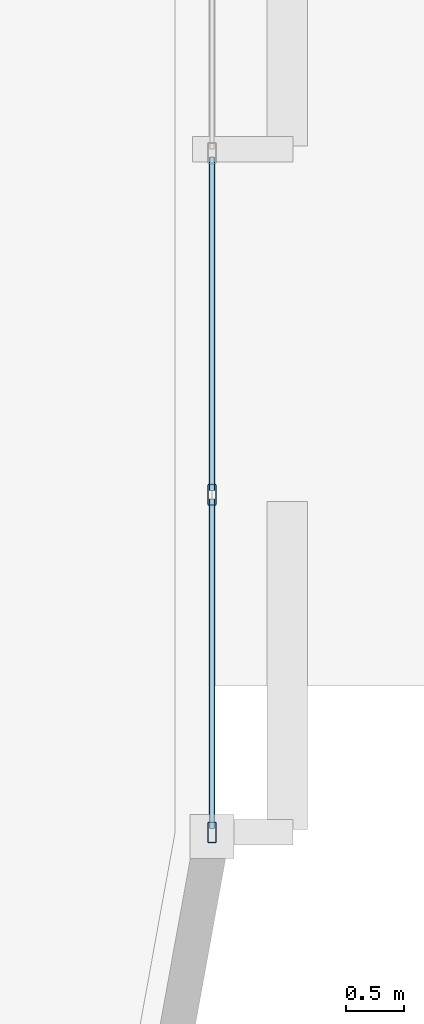
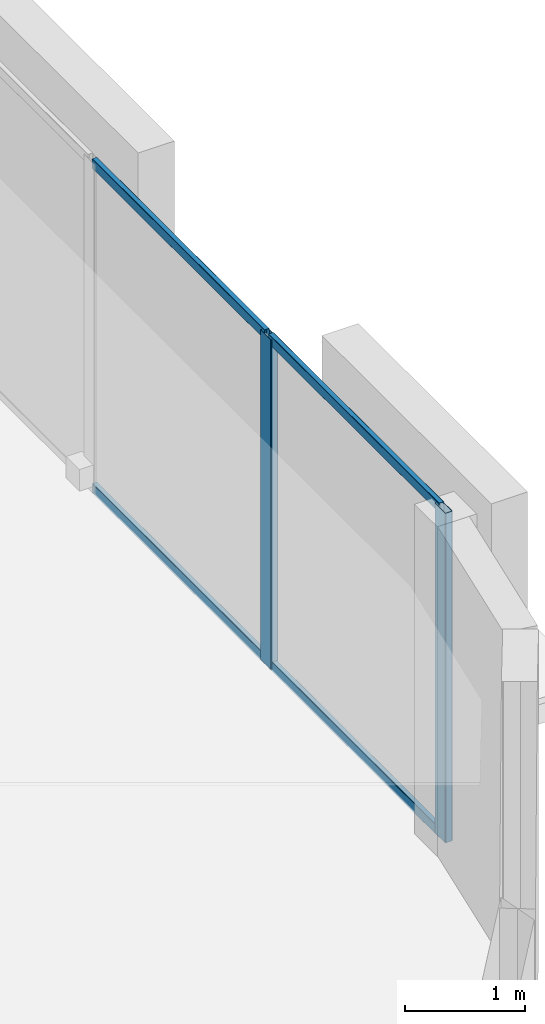
# One storey, part 4 of 13: 6 members, 1 element without a shape of its own.
"""IFC4 building model written with IfcOpenShell, lengths in metres."""

from ifc_helpers import new_model, si_unit, direction, frame, origin, origin_2d, place, context, subcontext, project, spatial, hollow_rectangle, extrude, material, layer, layer_set, material_profile, profile_set, type_object, element, aggregate, save


model = new_model("IFC4")

# Units and contexts
model_context = context("Model", 3, precision=1e-05, world=origin(), true_north=direction((0.0, 1.0)))
body_context = subcontext(model_context, "Body", "Model", "MODEL_VIEW")
ifc_project = project(units=[si_unit("LENGTHUNIT", "METRE"), si_unit("AREAUNIT", "SQUARE_METRE"), si_unit("VOLUMEUNIT", "CUBIC_METRE"), si_unit("PLANEANGLEUNIT", "RADIAN"), si_unit("MASSUNIT", "GRAM", prefix="KILO")], contexts=[model_context])

# Site, building, storey
site_placement = place(None, origin())
site = spatial("IfcSite", under=ifc_project, at=site_placement, CompositionType="ELEMENT")
building_placement = place(site_placement, origin())
building = spatial("IfcBuilding", under=site, at=building_placement, Name="An Khanh Terracotta Commons", CompositionType="ELEMENT")
storey_placement = place(building_placement, frame((0.0, 0.0, 244.5)))
storey = spatial("IfcBuildingStorey", under=building, at=storey_placement, Name="L64", CompositionType="ELEMENT", Elevation=244.5)

# Curtain wall, members
ifc_material = material(Name="Anodised Aluminium 6063-T6", Category="aluminium")
ifc_layer = layer(ifc_material, 0.2099609375, Name="Anodised Aluminium 6063-T6")
ifc_layer_set = layer_set([ifc_layer], Name="Anodised Aluminium 6063-T6")
curtain_wall_type = type_object("IfcCurtainWallType", Name="CW-SYS-03", PredefinedType="USERDEFINED", material=ifc_layer_set)
curtain_wall_placement = place(storey_placement, origin())
curtain_wall = element("IfcCurtainWall", 1, at=curtain_wall_placement, inside=storey, type_object=curtain_wall_type, Name="L64 CW-03 Unitised Curtain Wall CW-L64-12", ObjectType="UNITISED CURTAIN WALL", PredefinedType="USERDEFINED")
ifc_material_profile_1 = material_profile(ifc_material, hollow_rectangle(XDim=0.070068359375, YDim=0.179931640625, WallThickness=0.00390625, InnerFilletRadius=0.00390625, OuterFilletRadius=0.008056640625, at=origin_2d()), Name="RHS180x70x4")
ifc_profile_set_1 = profile_set([ifc_material_profile_1], Name="Anodised Aluminium 6063-T6")
member_type_1 = type_object("IfcMemberType", Name="CWM-RHS180x70x4", PredefinedType="MULLION", material=ifc_profile_set_1)
member_1_placement = place(storey_placement, frame((68.60009765625, 18.135986328125, 0.0), z_axis=(0.0, 0.0, 1.0), x_axis=(-1.0, 0.0, 0.0)))
member_1 = element("IfcMember", 2, at=member_1_placement, type_object=member_type_1, Name="CW-03 mullion 1", PredefinedType="MULLION", context=body_context, shape_type="SweptSolid", body=[
    extrude(hollow_rectangle(XDim=0.070068359375, YDim=0.179931640625, WallThickness=0.00390625, InnerFilletRadius=0.00390625, OuterFilletRadius=0.008056640625, at=origin_2d()), origin(), (0.0, 0.0, 1.0), 3.360107421875),
])
member_2_placement = place(storey_placement, frame((68.60009765625, 21.050537109375, 0.0), z_axis=(0.0, 0.0, 1.0), x_axis=(-1.0, 0.0, 0.0)))
member_2 = element("IfcMember", 3, at=member_2_placement, type_object=member_type_1, Name="CW-03 mullion 2", PredefinedType="MULLION", context=body_context, shape_type="SweptSolid", body=[
    extrude(hollow_rectangle(XDim=0.070068359375, YDim=0.179931640625, WallThickness=0.00390625, InnerFilletRadius=0.00390625, OuterFilletRadius=0.008056640625, at=origin_2d()), origin(), (0.0, 0.0, 1.0), 3.360107421875),
])
ifc_material_profile_2 = material_profile(ifc_material, hollow_rectangle(XDim=0.050048828125, YDim=0.10009765625, WallThickness=0.003173828125, InnerFilletRadius=0.003173828125, OuterFilletRadius=0.00634765625, at=origin_2d()), Name="RHS100x50x3.2")
ifc_profile_set_2 = profile_set([ifc_material_profile_2], Name="Anodised Aluminium 6063-T6")
member_type_2 = type_object("IfcMemberType", Name="CWT-RHS100x50x3.2", PredefinedType="USERDEFINED", material=ifc_profile_set_2)
member_3_placement = place(storey_placement, frame((68.60009765625, 18.1708984375, 0.02490234375), z_axis=(0.0, 1.0, 0.0), x_axis=(-1.0, 0.0, 0.0)))
member_3 = element("IfcMember", 4, at=member_3_placement, type_object=member_type_2, Name="CW-03 transom 1.1", ObjectType="TRANSOM", PredefinedType="USERDEFINED", context=body_context, shape_type="SweptSolid", body=[
    extrude(hollow_rectangle(XDim=0.050048828125, YDim=0.10009765625, WallThickness=0.003173828125, InnerFilletRadius=0.003173828125, OuterFilletRadius=0.00634765625, at=origin_2d()), origin(), (0.0, 0.0, 1.0), 2.844482421875),
])
member_4_placement = place(storey_placement, frame((68.60009765625, 18.1708984375, 3.3349609375), z_axis=(0.0, 1.0, 0.0), x_axis=(-1.0, 0.0, 0.0)))
member_4 = element("IfcMember", 5, at=member_4_placement, type_object=member_type_2, Name="CW-03 transom 1.2", ObjectType="TRANSOM", PredefinedType="USERDEFINED", context=body_context, shape_type="SweptSolid", body=[
    extrude(hollow_rectangle(XDim=0.050048828125, YDim=0.10009765625, WallThickness=0.003173828125, InnerFilletRadius=0.003173828125, OuterFilletRadius=0.00634765625, at=origin_2d()), origin(), (0.0, 0.0, 1.0), 2.844482421875),
])
member_5_placement = place(storey_placement, frame((68.60009765625, 21.08544921875, 0.02490234375), z_axis=(0.0, 1.0, 0.0), x_axis=(-1.0, 0.0, 0.0)))
member_5 = element("IfcMember", 6, at=member_5_placement, type_object=member_type_2, Name="CW-03 transom 2.1", ObjectType="TRANSOM", PredefinedType="USERDEFINED", context=body_context, shape_type="SweptSolid", body=[
    extrude(hollow_rectangle(XDim=0.050048828125, YDim=0.10009765625, WallThickness=0.003173828125, InnerFilletRadius=0.003173828125, OuterFilletRadius=0.00634765625, at=origin_2d()), origin(), (0.0, 0.0, 1.0), 2.879638671875),
])
member_6_placement = place(storey_placement, frame((68.60009765625, 21.08544921875, 3.3349609375), z_axis=(0.0, 1.0, 0.0), x_axis=(-1.0, 0.0, 0.0)))
member_6 = element("IfcMember", 7, at=member_6_placement, type_object=member_type_2, Name="CW-03 transom 2.2", ObjectType="TRANSOM", PredefinedType="USERDEFINED", context=body_context, shape_type="SweptSolid", body=[
    extrude(hollow_rectangle(XDim=0.050048828125, YDim=0.10009765625, WallThickness=0.003173828125, InnerFilletRadius=0.003173828125, OuterFilletRadius=0.00634765625, at=origin_2d()), origin(), (0.0, 0.0, 1.0), 2.879638671875),
])
aggregate(curtain_wall, [member_1, member_2, member_3, member_4, member_5, member_6])

save(model, "model.ifc")
